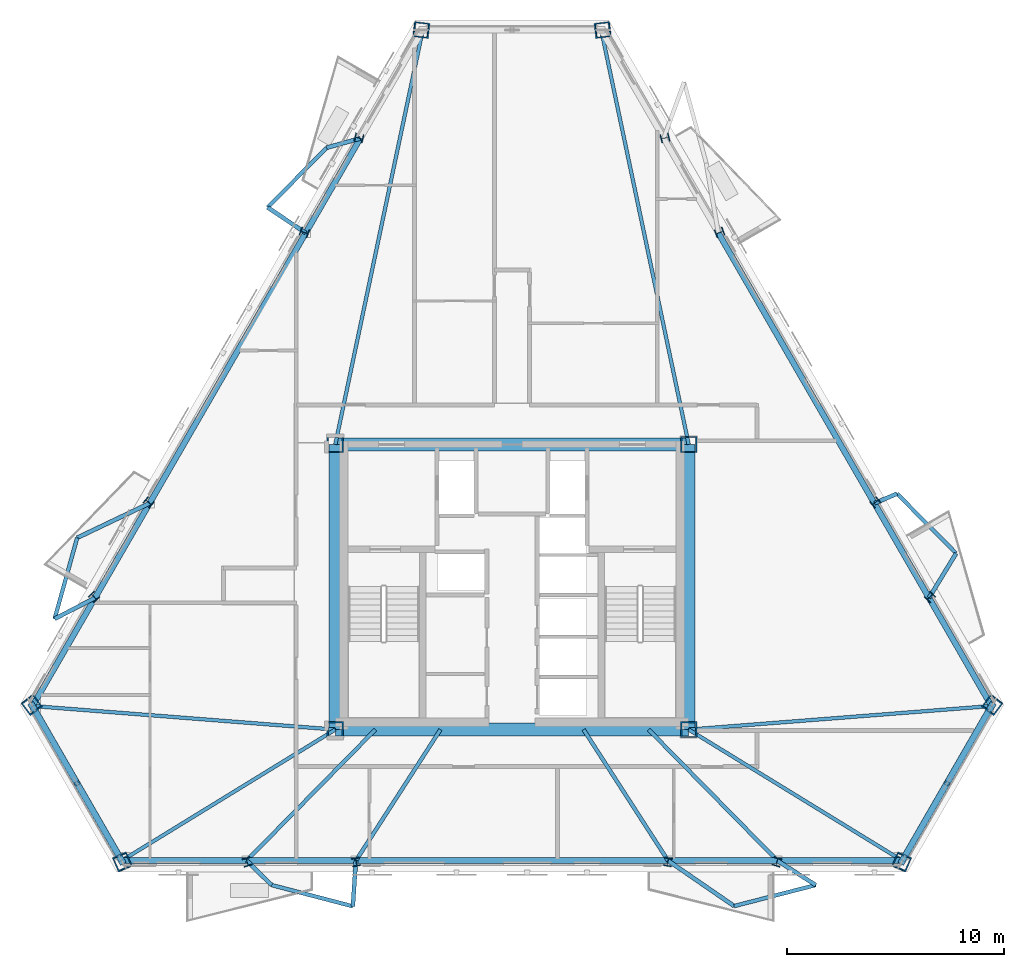
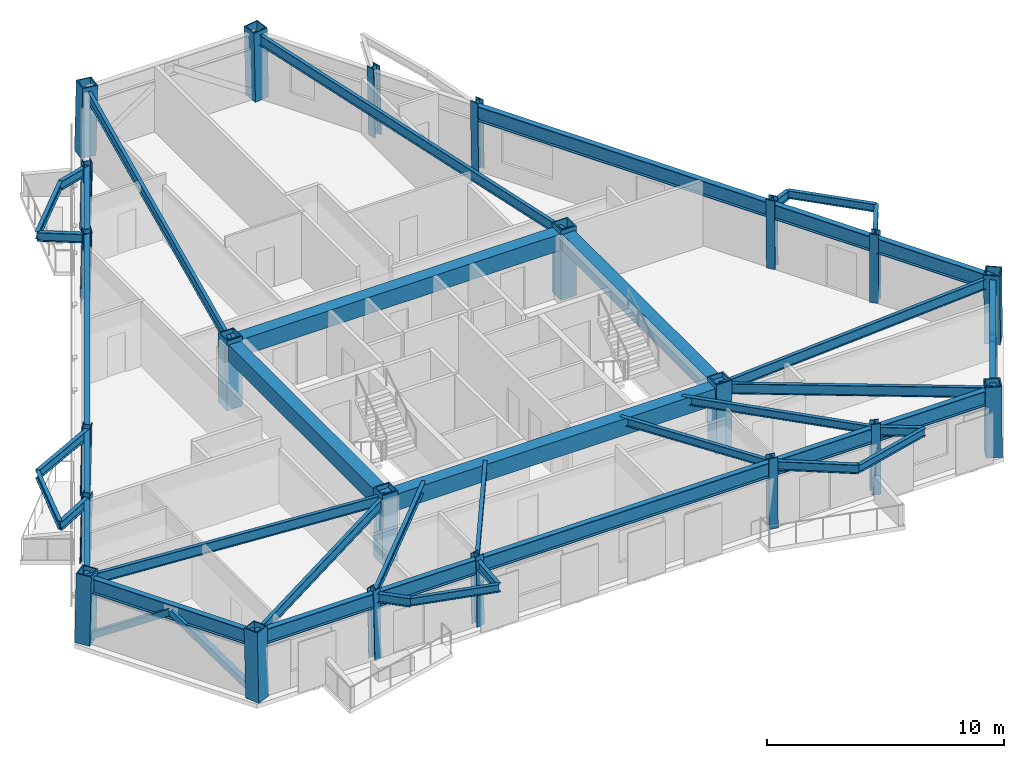
# One storey, part 1 of 9: 43 beams, 22 columns, 4 members.
"""IFC4 building model written with IfcOpenShell, lengths in metres."""

from ifc_helpers import new_model, si_unit, direction, frame, origin, origin_2d, place, context, subcontext, project, spatial, rectangle, hollow_rectangle, i_section, extrude, material, material_profile, profile_set, type_object, element, save


model = new_model("IFC4")

# Units and contexts
model_context = context("Model", 3, precision=1e-05, world=origin(), true_north=direction((0.0, 1.0)))
body_context = subcontext(model_context, "Body", "Model", "MODEL_VIEW")
ifc_project = project(units=[si_unit("LENGTHUNIT", "METRE"), si_unit("AREAUNIT", "SQUARE_METRE"), si_unit("VOLUMEUNIT", "CUBIC_METRE"), si_unit("PLANEANGLEUNIT", "RADIAN"), si_unit("MASSUNIT", "GRAM", prefix="KILO")], contexts=[model_context])

# Site, building, storey
site_placement = place(None, origin())
site = spatial("IfcSite", under=ifc_project, at=site_placement, CompositionType="ELEMENT")
building_placement = place(site_placement, origin())
building = spatial("IfcBuilding", under=site, at=building_placement, Name="Oramaril Tower", CompositionType="ELEMENT")
storey_placement = place(building_placement, frame((0.0, 0.0, 174.60009765625)))
storey = spatial("IfcBuildingStorey", under=building, at=storey_placement, Name="L46", CompositionType="ELEMENT", Elevation=174.60009765625)

# Columns
ifc_material_1 = material(Name="Steel ASTM A572 Gr 50", Category="steel")
ifc_material_profile_1 = material_profile(ifc_material_1, hollow_rectangle(XDim=0.75, YDim=0.75, WallThickness=0.06005859375, at=origin_2d()), Name="BOX750X750X60")
ifc_profile_set_1 = profile_set([ifc_material_profile_1], Name="Steel ASTM A572 Gr 50")
column_type_1 = type_object("IfcColumnType", Name="CT-CC4", PredefinedType="COLUMN", material=ifc_profile_set_1)
for number, where, z_axis, x_axis, name in (
    (1, (29.35009765625, 11.0, 0.0), (0.0, 0.0, 1.0), (1.0, 0.0, 0.0), "L46 Core Column CC-1"),
    (2, (45.64990234375, 11.0, 0.0), (0.0, 0.0, 1.0), (1.0, 0.0, 0.0), "L46 Core Column CC-2"),
    (3, (45.64990234375, 24.14990234375, 0.0), (0.0, 0.0, 1.0), (1.0, 0.0, 0.0), "L46 Core Column CC-3"),
    (4, (29.35009765625, 24.14990234375, 0.0), (0.0, 0.0, 1.0), (1.0, 0.0, 0.0), "L46 Core Column CC-4"),
):
    element("IfcColumn", number, at=place(storey_placement, frame(where, z_axis=z_axis, x_axis=x_axis)), inside=storey, type_object=column_type_1, Name=name, PredefinedType="COLUMN", context=body_context, shape_type="SweptSolid", body=[
        extrude(hollow_rectangle(XDim=0.75, YDim=0.75, WallThickness=0.06005859375, at=origin_2d()), origin(), (0.0, 0.0, 1.0), 3.599853515625),
    ])
ifc_material_2 = material(Name="Steel ASTM A572 Gr 50", Category="steel")
ifc_material_profile_2 = material_profile(ifc_material_2, hollow_rectangle(XDim=0.699951171875, YDim=0.699951171875, WallThickness=0.054931640625, at=origin_2d()), Name="BOX700X700X55")
ifc_profile_set_2 = profile_set([ifc_material_profile_2], Name="Steel ASTM A572 Gr 50")
column_type_2 = type_object("IfcColumnType", Name="CT-TC4", PredefinedType="COLUMN", material=ifc_profile_set_2)
for number, where, z_axis, x_axis, name in (
    (5, (15.340087890625, 12.14990234375, 0.00439453125), (0.01325397045, -0.017603991521, 0.999757186396), (0.798888206192, 0.60147953748, 0.0), "L46 Tube Column TC-01"),
    (6, (19.53515625, 4.884033203125, 0.00439453125), (-0.008700040494, 0.020254781774, 0.99975699703), (-0.918825765813, -0.394663416188, 0.0), "L46 Tube Column TC-02"),
    (7, (55.46484375, 4.884033203125, 0.00439453125), (0.008700040494, 0.020254781774, 0.99975699703), (-0.918825765813, 0.394663416188, 0.0), "L46 Tube Column TC-03"),
    (8, (59.659912109375, 12.14990234375, 0.00439453125), (-0.01325397045, -0.017603991521, 0.999757186396), (0.798888206192, -0.60147953748, 0.0), "L46 Tube Column TC-04"),
    (9, (41.695068359375, 43.26611328125, 0.00439453125), (-0.021886038507, -0.002650793484, 0.999756957771), (0.120239293752, -0.992744938158, 0.0), "L46 Tube Column TC-05"),
    (10, (33.304931640625, 43.26611328125, 0.00439453125), (0.021886038507, -0.002650793484, 0.999756957771), (0.120239293752, 0.992744938158, 0.0), "L46 Tube Column TC-06"),
):
    element("IfcColumn", number, at=place(storey_placement, frame(where, z_axis=z_axis, x_axis=x_axis)), inside=storey, type_object=column_type_2, Name=name, PredefinedType="COLUMN", context=body_context, shape_type="SweptSolid", body=[
        extrude(hollow_rectangle(XDim=0.699951171875, YDim=0.699951171875, WallThickness=0.054931640625, at=origin_2d()), origin(), (0.0, 0.0, 1.0), 3.592041015625),
    ])
ifc_material_3 = material(Name="Steel ASTM A572 Gr 50", Category="steel")
ifc_material_profile_3 = material_profile(ifc_material_3, i_section(OverallWidth=0.39892578125, OverallDepth=0.385986328125, WebThickness=0.02099609375, FlangeThickness=0.033203125, at=origin_2d()), Name="W14X176")
ifc_profile_set_3 = profile_set([ifc_material_profile_3], Name="Steel ASTM A572 Gr 50")
column_type_3 = type_object("IfcColumnType", Name="CT-TF4", PredefinedType="COLUMN", material=ifc_profile_set_3)
for number, where, z_axis, x_axis, name in (
    (11, (25.283935546875, 4.884033203125, 0.00439453125), (-0.005913429182, 0.020255194209, 0.999777354446), (-0.959927812476, -0.280247381495, 0.0), "L46 Tube Column TC-07"),
    (12, (30.314208984375, 4.884033203125, 0.00439453125), (-0.00353450314, 0.020255421843, 0.99978859024), (-0.985114547136, -0.171899182722, 0.0), "L46 Tube Column TC-08"),
    (13, (44.685791015625, 4.884033203125, 0.00439453125), (0.00353450314, 0.020255421843, 0.99978859024), (-0.985114547136, 0.171899182722, 0.0), "L46 Tube Column TC-09"),
    (14, (49.716064453125, 4.884033203125, 0.00439453125), (0.005913429182, 0.020255194209, 0.999777354446), (-0.959927812476, 0.280247381495, 0.0), "L46 Tube Column TC-10"),
    (15, (56.785400390625, 17.128662109375, 0.00439453125), (-0.014613630727, -0.015293334481, 0.999776252827), (0.722990691153, -0.690857771546, 0.0), "L46 Tube Column TC-11"),
    (16, (54.2705078125, 21.48486328125, 0.00439453125), (-0.015837277662, -0.01318640286, 0.999787627157), (0.63985992484, -0.768491559215, 0.0), "L46 Tube Column TC-12"),
    (17, (47.08447265625, 33.93115234375, 0.00439453125), (-0.019303817129, -0.007136974643, 0.999788190687), (0.346776475459, -0.93794780029, 0.0), "L46 Tube Column TC-13"),
    (18, (44.5693359375, 38.287353515625, 0.00439453125), (-0.020459119549, -0.005029816766, 0.999778038052), (0.238738248222, -0.971083955606, 0.0), "L46 Tube Column TC-14"),
    (19, (30.4306640625, 38.287353515625, 0.00439453125), (0.020459119549, -0.005029816766, 0.999778038052), (0.238738248222, 0.971083955606, 0.0), "L46 Tube Column TC-15"),
    (20, (27.91552734375, 33.93115234375, 0.00439453125), (0.019303817129, -0.007136974643, 0.999788190687), (0.346776475459, 0.93794780029, 0.0), "L46 Tube Column TC-16"),
    (21, (20.7294921875, 21.48486328125, 0.00439453125), (0.015837277662, -0.01318640286, 0.999787627157), (0.63985992484, 0.768491559215, 0.0), "L46 Tube Column TC-17"),
    (22, (18.214599609375, 17.128662109375, 0.00439453125), (0.014613630727, -0.015293334481, 0.999776252827), (0.722990691153, 0.690857771546, 0.0), "L46 Tube Column TC-18"),
):
    element("IfcColumn", number, at=place(storey_placement, frame(where, z_axis=z_axis, x_axis=x_axis)), inside=storey, type_object=column_type_3, Name=name, PredefinedType="COLUMN", context=body_context, shape_type="SweptSolid", body=[
        extrude(i_section(OverallWidth=0.39892578125, OverallDepth=0.385986328125, WebThickness=0.02099609375, FlangeThickness=0.033203125, at=origin_2d()), origin(), (0.0, 0.0, 1.0), 3.591796875),
    ])

# Beams
ifc_material_4 = material(Name="Steel ASTM A572 Gr 50", Category="steel")
ifc_material_profile_4 = material_profile(ifc_material_4, i_section(OverallWidth=0.19091796875, OverallDepth=0.45703125, WebThickness=0.009033203125, FlangeThickness=0.014404296875, at=origin_2d()), Name="W18X50")
ifc_profile_set_4 = profile_set([ifc_material_profile_4], Name="Steel ASTM A572 Gr 50")
beam_type_1 = type_object("IfcBeamType", Name="BT-BB1", PredefinedType="BEAM", material=ifc_profile_set_4)
beam_1_placement = place(storey_placement, frame((25.2626953125, 4.956787109375, 3.1513671875), z_axis=(0.715080619035, -0.699041993217, 0.0), x_axis=(0.699041993217, 0.715080619035, 0.0)))
element("IfcBeam", 23, at=beam_1_placement, inside=storey, type_object=beam_type_1, Name="L46 Balcony Column-Framed Cantilever 01.1", PredefinedType="BEAM", context=body_context, shape_type="SweptSolid", body=[
    extrude(i_section(OverallWidth=0.19091796875, OverallDepth=0.45703125, WebThickness=0.009033203125, FlangeThickness=0.014404296875, at=origin_2d()), origin(), (0.0, 0.0, 1.0), 1.613525390625),
])
beam_2_placement = place(storey_placement, frame((30.301513671875, 4.956787109375, 3.1513671875), z_axis=(-0.066795130788, -0.997766711463, 0.0), x_axis=(0.997766711463, -0.066795130788, 0.0)))
element("IfcBeam", 24, at=beam_2_placement, inside=storey, type_object=beam_type_1, Name="L46 Balcony Column-Framed Cantilever 01.2", PredefinedType="BEAM", context=body_context, shape_type="SweptSolid", body=[
    extrude(i_section(OverallWidth=0.19091796875, OverallDepth=0.45703125, WebThickness=0.009033203125, FlangeThickness=0.014404296875, at=origin_2d()), origin(), (0.0, 0.0, 1.0), 2.112548828125),
])
beam_3_placement = place(storey_placement, frame((44.698486328125, 4.956787109375, 3.1513671875), z_axis=(0.824026521451, -0.566551226232, 0.0), x_axis=(0.566551226232, 0.824026521451, 0.0)))
element("IfcBeam", 25, at=beam_3_placement, inside=storey, type_object=beam_type_1, Name="L46 Balcony Column-Framed Cantilever 02.1", PredefinedType="BEAM", context=body_context, shape_type="SweptSolid", body=[
    extrude(i_section(OverallWidth=0.19091796875, OverallDepth=0.45703125, WebThickness=0.009033203125, FlangeThickness=0.014404296875, at=origin_2d()), origin(), (0.0, 0.0, 1.0), 3.699951171875),
])
beam_4_placement = place(storey_placement, frame((49.7373046875, 4.956787109375, 3.1513671875), z_axis=(0.843493889987, -0.537138769365, 0.0), x_axis=(0.537138769365, 0.843493889987, 0.0)))
element("IfcBeam", 26, at=beam_4_placement, inside=storey, type_object=beam_type_1, Name="L46 Balcony Column-Framed Cantilever 02.2", PredefinedType="BEAM", context=body_context, shape_type="SweptSolid", body=[
    extrude(i_section(OverallWidth=0.19091796875, OverallDepth=0.45703125, WebThickness=0.009033203125, FlangeThickness=0.014404296875, at=origin_2d()), origin(), (0.0, 0.0, 1.0), 2.099853515625),
])
beam_5_placement = place(storey_placement, frame((56.73291015625, 17.07373046875, 3.1513671875), z_axis=(0.519640737606, 0.854384868674, 0.0), x_axis=(-0.854384868674, 0.519640737606, 0.0)))
element("IfcBeam", 27, at=beam_5_placement, inside=storey, type_object=beam_type_1, Name="L46 Balcony Column-Framed Cantilever 03.1", PredefinedType="BEAM", context=body_context, shape_type="SweptSolid", body=[
    extrude(i_section(OverallWidth=0.19091796875, OverallDepth=0.45703125, WebThickness=0.009033203125, FlangeThickness=0.014404296875, at=origin_2d()), origin(), (0.0, 0.0, 1.0), 2.403076171875),
])
beam_6_placement = place(storey_placement, frame((54.213623046875, 21.4375, 3.1513671875), z_axis=(0.921352142446, 0.3887289925, 0.0), x_axis=(-0.3887289925, 0.921352142446, 0.0)))
element("IfcBeam", 28, at=beam_6_placement, inside=storey, type_object=beam_type_1, Name="L46 Balcony Column-Framed Cantilever 03.2", PredefinedType="BEAM", context=body_context, shape_type="SweptSolid", body=[
    extrude(i_section(OverallWidth=0.19091796875, OverallDepth=0.45703125, WebThickness=0.009033203125, FlangeThickness=0.014404296875, at=origin_2d()), origin(), (0.0, 0.0, 1.0), 1.13671875),
])
beam_7_placement = place(storey_placement, frame((30.504150390625, 38.269287109375, 3.1513671875), z_axis=(-0.962960876633, -0.269641150559, 0.0), x_axis=(0.269641150559, -0.962960876633, 0.0)))
element("IfcBeam", 29, at=beam_7_placement, inside=storey, type_object=beam_type_1, Name="L46 Balcony Column-Framed Cantilever 05.1", PredefinedType="BEAM", context=body_context, shape_type="SweptSolid", body=[
    extrude(i_section(OverallWidth=0.19091796875, OverallDepth=0.45703125, WebThickness=0.009033203125, FlangeThickness=0.014404296875, at=origin_2d()), origin(), (0.0, 0.0, 1.0), 1.613525390625),
])
beam_8_placement = place(storey_placement, frame((27.98486328125, 33.905517578125, 3.1513671875), z_axis=(-0.83069676743, 0.556725139168, 0.0), x_axis=(-0.556725139168, -0.83069676743, 0.0)))
element("IfcBeam", 30, at=beam_8_placement, inside=storey, type_object=beam_type_1, Name="L46 Balcony Column-Framed Cantilever 05.2", PredefinedType="BEAM", context=body_context, shape_type="SweptSolid", body=[
    extrude(i_section(OverallWidth=0.19091796875, OverallDepth=0.45703125, WebThickness=0.009033203125, FlangeThickness=0.014404296875, at=origin_2d()), origin(), (0.0, 0.0, 1.0), 2.11279296875),
])
beam_9_placement = place(storey_placement, frame((20.786376953125, 21.4375, 3.1513671875), z_axis=(-0.902662837002, -0.430348466588, 0.0), x_axis=(0.430348466588, -0.902662837002, 0.0)))
element("IfcBeam", 31, at=beam_9_placement, inside=storey, type_object=beam_type_1, Name="L46 Balcony Column-Framed Cantilever 06.1", PredefinedType="BEAM", context=body_context, shape_type="SweptSolid", body=[
    extrude(i_section(OverallWidth=0.19091796875, OverallDepth=0.45703125, WebThickness=0.009033203125, FlangeThickness=0.014404296875, at=origin_2d()), origin(), (0.0, 0.0, 1.0), 3.699951171875),
])
beam_10_placement = place(storey_placement, frame((18.26708984375, 17.07373046875, 3.1513671875), z_axis=(-0.886959721119, -0.461846785322, 0.0), x_axis=(0.461846785322, -0.886959721119, 0.0)))
element("IfcBeam", 32, at=beam_10_placement, inside=storey, type_object=beam_type_1, Name="L46 Balcony Column-Framed Cantilever 06.2", PredefinedType="BEAM", context=body_context, shape_type="SweptSolid", body=[
    extrude(i_section(OverallWidth=0.19091796875, OverallDepth=0.45703125, WebThickness=0.009033203125, FlangeThickness=0.014404296875, at=origin_2d()), origin(), (0.0, 0.0, 1.0), 2.10009765625),
])
ifc_material_5 = material(Name="Concrete C50/60", Category="concrete")
ifc_material_profile_5 = material_profile(ifc_material_5, rectangle(XDim=0.60009765625, YDim=0.85009765625, at=origin_2d()), Name="CB600X850")
ifc_profile_set_5 = profile_set([ifc_material_profile_5], Name="Concrete C50/60")
beam_type_2 = type_object("IfcBeamType", Name="BT-CB2", PredefinedType="BEAM", material=ifc_profile_set_5)
beam_11_placement = place(storey_placement, frame((29.35009765625, 11.0, 2.954833984375), z_axis=(1.0, 0.0, 0.0), x_axis=(0.0, 1.0, 0.0)))
element("IfcBeam", 33, at=beam_11_placement, inside=storey, type_object=beam_type_2, Name="L46 Core Header Beam CB-1", PredefinedType="BEAM", context=body_context, shape_type="SweptSolid", body=[
    extrude(rectangle(XDim=0.60009765625, YDim=0.85009765625, at=origin_2d()), origin(), (0.0, 0.0, 1.0), 16.2998046875),
])
beam_12_placement = place(storey_placement, frame((45.64990234375, 11.0, 2.954833984375), z_axis=(0.0, 1.0, 0.0), x_axis=(-1.0, 0.0, 0.0)))
element("IfcBeam", 34, at=beam_12_placement, inside=storey, type_object=beam_type_2, Name="L46 Core Header Beam CB-2", PredefinedType="BEAM", context=body_context, shape_type="SweptSolid", body=[
    extrude(rectangle(XDim=0.60009765625, YDim=0.85009765625, at=origin_2d()), origin(), (0.0, 0.0, 1.0), 13.14990234375),
])
beam_13_placement = place(storey_placement, frame((45.64990234375, 24.14990234375, 2.954833984375), z_axis=(-1.0, 0.0, 0.0), x_axis=(0.0, -1.0, 0.0)))
element("IfcBeam", 35, at=beam_13_placement, inside=storey, type_object=beam_type_2, Name="L46 Core Header Beam CB-3", PredefinedType="BEAM", context=body_context, shape_type="SweptSolid", body=[
    extrude(rectangle(XDim=0.60009765625, YDim=0.85009765625, at=origin_2d()), origin(), (0.0, 0.0, 1.0), 16.2998046875),
])
beam_14_placement = place(storey_placement, frame((29.35009765625, 24.14990234375, 2.954833984375), z_axis=(0.0, -1.0, 0.0), x_axis=(1.0, 0.0, 0.0)))
element("IfcBeam", 36, at=beam_14_placement, inside=storey, type_object=beam_type_2, Name="L46 Core Header Beam CB-4", PredefinedType="BEAM", context=body_context, shape_type="SweptSolid", body=[
    extrude(rectangle(XDim=0.60009765625, YDim=0.85009765625, at=origin_2d()), origin(), (0.0, 0.0, 1.0), 13.14990234375),
])
ifc_material_6 = material(Name="Steel ASTM A572 Gr 50", Category="steel")
ifc_material_profile_6 = material_profile(ifc_material_6, i_section(OverallWidth=0.166015625, OverallDepth=0.528076171875, WebThickness=0.009765625, FlangeThickness=0.013671875, at=origin_2d()), Name="W21X50")
ifc_profile_set_6 = profile_set([ifc_material_profile_6], Name="Steel ASTM A572 Gr 50")
beam_type_3 = type_object("IfcBeamType", Name="BT-FB3", PredefinedType="BEAM", material=ifc_profile_set_6)
beam_15_placement = place(storey_placement, frame((29.35009765625, 11.0, 3.115966796875), z_axis=(-0.996985068247, 0.077593644672, 0.0), x_axis=(-0.077593644672, -0.996985068247, 0.0)))
element("IfcBeam", 37, at=beam_15_placement, inside=storey, type_object=beam_type_3, Name="L46 Radial Primary Beam RB-01", PredefinedType="BEAM", context=body_context, shape_type="SweptSolid", body=[
    extrude(i_section(OverallWidth=0.166015625, OverallDepth=0.528076171875, WebThickness=0.009765625, FlangeThickness=0.013671875, at=origin_2d()), origin(), (0.0, 0.0, 1.0), 14.004638671875),
])
for number, where, z_axis, x_axis, name in (
    (38, (29.35009765625, 11.0, 3.115966796875), (-0.852275194764, -0.523093674584, 0.0), (0.523093674584, -0.852275194764, 0.0), "L46 Radial Primary Beam RB-02"),
    (39, (45.64990234375, 11.0, 3.115966796875), (0.852275194764, -0.523093674584, 0.0), (0.523093674584, 0.852275194764, 0.0), "L46 Radial Primary Beam RB-03"),
):
    element("IfcBeam", number, at=place(storey_placement, frame(where, z_axis=z_axis, x_axis=x_axis)), inside=storey, type_object=beam_type_3, Name=name, PredefinedType="BEAM", context=body_context, shape_type="SweptSolid", body=[
        extrude(i_section(OverallWidth=0.166015625, OverallDepth=0.528076171875, WebThickness=0.009765625, FlangeThickness=0.013671875, at=origin_2d()), origin(), (0.0, 0.0, 1.0), 11.552734375),
    ])
beam_16_placement = place(storey_placement, frame((45.64990234375, 11.0, 3.115966796875), z_axis=(0.996985068247, 0.077593644672, 0.0), x_axis=(-0.077593644672, 0.996985068247, 0.0)))
element("IfcBeam", 40, at=beam_16_placement, inside=storey, type_object=beam_type_3, Name="L46 Radial Primary Beam RB-04", PredefinedType="BEAM", context=body_context, shape_type="SweptSolid", body=[
    extrude(i_section(OverallWidth=0.166015625, OverallDepth=0.528076171875, WebThickness=0.009765625, FlangeThickness=0.013671875, at=origin_2d()), origin(), (0.0, 0.0, 1.0), 14.004638671875),
])
for number, where, z_axis, x_axis, name in (
    (41, (45.64990234375, 24.14990234375, 3.115966796875), (-0.206549172802, 0.978436221332, 0.0), (-0.978436221332, -0.206549172802, 0.0), "L46 Radial Primary Beam RB-05"),
    (42, (29.35009765625, 24.14990234375, 3.115966796875), (0.206549172802, 0.978436221332, 0.0), (-0.978436221332, 0.206549172802, 0.0), "L46 Radial Primary Beam RB-06"),
):
    element("IfcBeam", number, at=place(storey_placement, frame(where, z_axis=z_axis, x_axis=x_axis)), inside=storey, type_object=beam_type_3, Name=name, PredefinedType="BEAM", context=body_context, shape_type="SweptSolid", body=[
        extrude(i_section(OverallWidth=0.166015625, OverallDepth=0.528076171875, WebThickness=0.009765625, FlangeThickness=0.013671875, at=origin_2d()), origin(), (0.0, 0.0, 1.0), 19.52783203125),
    ])
ifc_material_7 = material(Name="Steel ASTM A572 Gr 50", Category="steel")
ifc_material_profile_7 = material_profile(ifc_material_7, i_section(OverallWidth=0.177978515625, OverallDepth=0.404052734375, WebThickness=0.007568359375, FlangeThickness=0.010986328125, at=origin_2d()), Name="W16X36")
ifc_profile_set_7 = profile_set([ifc_material_profile_7], Name="Steel ASTM A572 Gr 50")
beam_type_4 = type_object("IfcBeamType", Name="BT-SB1", PredefinedType="BEAM", material=ifc_profile_set_7)
beam_17_placement = place(storey_placement, frame((31.199951171875, 11.0, 3.177978515625), z_axis=(-0.70082561622, -0.713332640252, 0.0), x_axis=(0.713332640252, -0.70082561622, 0.0)))
element("IfcBeam", 43, at=beam_17_placement, inside=storey, type_object=beam_type_4, Name="L46 Secondary Floor Beam SB-01", PredefinedType="BEAM", context=body_context, shape_type="SweptSolid", body=[
    extrude(i_section(OverallWidth=0.177978515625, OverallDepth=0.404052734375, WebThickness=0.007568359375, FlangeThickness=0.010986328125, at=origin_2d()), origin(), (0.0, 0.0, 1.0), 8.471923828125),
])
for number, where, z_axis, x_axis, name in (
    (44, (34.199951171875, 11.0, 3.177978515625), (-0.542086660031, -0.840322588662, 0.0), (0.840322588662, -0.542086660031, 0.0), "L46 Secondary Floor Beam SB-02"),
    (45, (40.800048828125, 11.0, 3.177978515625), (0.542086660031, -0.840322588662, 0.0), (0.840322588662, 0.542086660031, 0.0), "L46 Secondary Floor Beam SB-03"),
):
    element("IfcBeam", number, at=place(storey_placement, frame(where, z_axis=z_axis, x_axis=x_axis)), inside=storey, type_object=beam_type_4, Name=name, PredefinedType="BEAM", context=body_context, shape_type="SweptSolid", body=[
        extrude(i_section(OverallWidth=0.177978515625, OverallDepth=0.404052734375, WebThickness=0.007568359375, FlangeThickness=0.010986328125, at=origin_2d()), origin(), (0.0, 0.0, 1.0), 7.191650390625),
    ])
beam_18_placement = place(storey_placement, frame((43.800048828125, 11.0, 3.177978515625), z_axis=(0.70082561622, -0.713332640252, 0.0), x_axis=(0.713332640252, 0.70082561622, 0.0)))
element("IfcBeam", 46, at=beam_18_placement, inside=storey, type_object=beam_type_4, Name="L46 Secondary Floor Beam SB-04", PredefinedType="BEAM", context=body_context, shape_type="SweptSolid", body=[
    extrude(i_section(OverallWidth=0.177978515625, OverallDepth=0.404052734375, WebThickness=0.007568359375, FlangeThickness=0.010986328125, at=origin_2d()), origin(), (0.0, 0.0, 1.0), 8.471923828125),
])
beam_19_placement = place(storey_placement, frame((26.41650390625, 3.828857421875, 3.177978515625), z_axis=(0.967407922874, -0.253223045479, 0.0), x_axis=(0.253223045479, 0.967407922874, 0.0)))
element("IfcBeam", 47, at=beam_19_placement, inside=storey, type_object=beam_type_4, Name="L46 Balcony Edge Tie Beam 01", PredefinedType="BEAM", context=body_context, shape_type="SweptSolid", body=[
    extrude(i_section(OverallWidth=0.177978515625, OverallDepth=0.404052734375, WebThickness=0.007568359375, FlangeThickness=0.010986328125, at=origin_2d()), origin(), (0.0, 0.0, 1.0), 3.8701171875),
])
beam_20_placement = place(storey_placement, frame((47.747314453125, 2.860595703125, 3.177978515625), z_axis=(0.968425319745, 0.249303830852, 0.0), x_axis=(-0.249303830852, 0.968425319745, 0.0)))
element("IfcBeam", 48, at=beam_20_placement, inside=storey, type_object=beam_type_4, Name="L46 Balcony Edge Tie Beam 02", PredefinedType="BEAM", context=body_context, shape_type="SweptSolid", body=[
    extrude(i_section(OverallWidth=0.177978515625, OverallDepth=0.404052734375, WebThickness=0.007568359375, FlangeThickness=0.010986328125, at=origin_2d()), origin(), (0.0, 0.0, 1.0), 3.8837890625),
])
for number, where, z_axis, x_axis, name in (
    (49, (57.981689453125, 19.126953125, 3.177978515625), (-0.702994511648, 0.71119527318, 0.0), (-0.71119527318, -0.702994511648, 0.0), "L46 Balcony Edge Tie Beam 03"),
    (50, (28.950439453125, 37.834228515625, 3.177978515625), (-0.702994511648, -0.71119527318, 0.0), (0.71119527318, -0.702994511648, 0.0), "L46 Balcony Edge Tie Beam 05"),
):
    element("IfcBeam", number, at=place(storey_placement, frame(where, z_axis=z_axis, x_axis=x_axis)), inside=storey, type_object=beam_type_4, Name=name, PredefinedType="BEAM", context=body_context, shape_type="SweptSolid", body=[
        extrude(i_section(OverallWidth=0.177978515625, OverallDepth=0.404052734375, WebThickness=0.007568359375, FlangeThickness=0.010986328125, at=origin_2d()), origin(), (0.0, 0.0, 1.0), 3.8701171875),
    ])
beam_21_placement = place(storey_placement, frame((17.446533203125, 19.84521484375, 3.177978515625), z_axis=(-0.268347314811, -0.963322229907, 0.0), x_axis=(0.963322229907, -0.268347314811, 0.0)))
element("IfcBeam", 51, at=beam_21_placement, inside=storey, type_object=beam_type_4, Name="L46 Balcony Edge Tie Beam 06", PredefinedType="BEAM", context=body_context, shape_type="SweptSolid", body=[
    extrude(i_section(OverallWidth=0.177978515625, OverallDepth=0.404052734375, WebThickness=0.007568359375, FlangeThickness=0.010986328125, at=origin_2d()), origin(), (0.0, 0.0, 1.0), 3.8837890625),
])
ifc_material_8 = material(Name="Steel ASTM A572 Gr 50", Category="steel")
ifc_material_profile_8 = material_profile(ifc_material_8, i_section(OverallWidth=0.26708984375, OverallDepth=0.77001953125, WebThickness=0.015625, FlangeThickness=0.025390625, at=origin_2d()), Name="W30X132")
ifc_profile_set_8 = profile_set([ifc_material_profile_8], Name="Steel ASTM A572 Gr 50")
beam_type_5 = type_object("IfcBeamType", Name="BT-SP3", PredefinedType="SPANDREL", material=ifc_profile_set_8)
beam_22_placement = place(storey_placement, frame((15.3876953125, 12.086669921875, 2.994873046875), z_axis=(0.499979154163, -0.8660374388, 0.0), x_axis=(0.8660374388, 0.499979154163, 0.0)))
element("IfcBeam", 52, at=beam_22_placement, inside=storey, type_object=beam_type_5, Name="L46 Perimeter Spandrel 01", PredefinedType="SPANDREL", context=body_context, shape_type="SweptSolid", body=[
    extrude(i_section(OverallWidth=0.26708984375, OverallDepth=0.77001953125, WebThickness=0.015625, FlangeThickness=0.025390625, at=origin_2d()), origin(), (0.0, 0.0, 1.0), 8.232666015625),
])
beam_23_placement = place(storey_placement, frame((19.50390625, 4.956787109375, 2.994873046875), z_axis=(1.0, 0.0, 0.0), x_axis=(0.0, 1.0, 0.0)))
element("IfcBeam", 53, at=beam_23_placement, inside=storey, type_object=beam_type_5, Name="L46 Perimeter Spandrel 02", PredefinedType="SPANDREL", context=body_context, shape_type="SweptSolid", body=[
    extrude(i_section(OverallWidth=0.26708984375, OverallDepth=0.77001953125, WebThickness=0.015625, FlangeThickness=0.025390625, at=origin_2d()), origin(), (0.0, 0.0, 1.0), 5.7587890625),
])
beam_24_placement = place(storey_placement, frame((25.2626953125, 4.956787109375, 2.994873046875), z_axis=(1.0, 0.0, 0.0), x_axis=(0.0, 1.0, 0.0)))
element("IfcBeam", 54, at=beam_24_placement, inside=storey, type_object=beam_type_5, Name="L46 Perimeter Spandrel 03", PredefinedType="SPANDREL", context=body_context, shape_type="SweptSolid", body=[
    extrude(i_section(OverallWidth=0.26708984375, OverallDepth=0.77001953125, WebThickness=0.015625, FlangeThickness=0.025390625, at=origin_2d()), origin(), (0.0, 0.0, 1.0), 5.038818359375),
])
beam_25_placement = place(storey_placement, frame((30.301513671875, 4.956787109375, 2.994873046875), z_axis=(1.0, 0.0, 0.0), x_axis=(0.0, 1.0, 0.0)))
element("IfcBeam", 55, at=beam_25_placement, inside=storey, type_object=beam_type_5, Name="L46 Perimeter Spandrel 04", PredefinedType="SPANDREL", context=body_context, shape_type="SweptSolid", body=[
    extrude(i_section(OverallWidth=0.26708984375, OverallDepth=0.77001953125, WebThickness=0.015625, FlangeThickness=0.025390625, at=origin_2d()), origin(), (0.0, 0.0, 1.0), 14.39697265625),
])
beam_26_placement = place(storey_placement, frame((44.698486328125, 4.956787109375, 2.994873046875), z_axis=(1.0, 0.0, 0.0), x_axis=(0.0, 1.0, 0.0)))
element("IfcBeam", 56, at=beam_26_placement, inside=storey, type_object=beam_type_5, Name="L46 Perimeter Spandrel 05", PredefinedType="SPANDREL", context=body_context, shape_type="SweptSolid", body=[
    extrude(i_section(OverallWidth=0.26708984375, OverallDepth=0.77001953125, WebThickness=0.015625, FlangeThickness=0.025390625, at=origin_2d()), origin(), (0.0, 0.0, 1.0), 5.038818359375),
])
beam_27_placement = place(storey_placement, frame((49.7373046875, 4.956787109375, 2.994873046875), z_axis=(1.0, 0.0, 0.0), x_axis=(0.0, 1.0, 0.0)))
element("IfcBeam", 57, at=beam_27_placement, inside=storey, type_object=beam_type_5, Name="L46 Perimeter Spandrel 06", PredefinedType="SPANDREL", context=body_context, shape_type="SweptSolid", body=[
    extrude(i_section(OverallWidth=0.26708984375, OverallDepth=0.77001953125, WebThickness=0.015625, FlangeThickness=0.025390625, at=origin_2d()), origin(), (0.0, 0.0, 1.0), 5.7587890625),
])
beam_28_placement = place(storey_placement, frame((55.49609375, 4.956787109375, 2.994873046875), z_axis=(0.499979154163, 0.8660374388, 0.0), x_axis=(-0.8660374388, 0.499979154163, 0.0)))
element("IfcBeam", 58, at=beam_28_placement, inside=storey, type_object=beam_type_5, Name="L46 Perimeter Spandrel 07", PredefinedType="SPANDREL", context=body_context, shape_type="SweptSolid", body=[
    extrude(i_section(OverallWidth=0.26708984375, OverallDepth=0.77001953125, WebThickness=0.015625, FlangeThickness=0.025390625, at=origin_2d()), origin(), (0.0, 0.0, 1.0), 8.232666015625),
])
beam_29_placement = place(storey_placement, frame((59.6123046875, 12.086669921875, 2.994873046875), z_axis=(-0.500014818852, 0.866016847947, 0.0), x_axis=(-0.866016847947, -0.500014818852, 0.0)))
element("IfcBeam", 59, at=beam_29_placement, inside=storey, type_object=beam_type_5, Name="L46 Perimeter Spandrel 08", PredefinedType="SPANDREL", context=body_context, shape_type="SweptSolid", body=[
    extrude(i_section(OverallWidth=0.26708984375, OverallDepth=0.77001953125, WebThickness=0.015625, FlangeThickness=0.025390625, at=origin_2d()), origin(), (0.0, 0.0, 1.0), 5.758544921875),
])
beam_30_placement = place(storey_placement, frame((56.73291015625, 17.07373046875, 2.994873046875), z_axis=(-0.499979696703, 0.866037125581, 0.0), x_axis=(-0.866037125581, -0.499979696703, 0.0)))
element("IfcBeam", 60, at=beam_30_placement, inside=storey, type_object=beam_type_5, Name="L46 Perimeter Spandrel 09", PredefinedType="SPANDREL", context=body_context, shape_type="SweptSolid", body=[
    extrude(i_section(OverallWidth=0.26708984375, OverallDepth=0.77001953125, WebThickness=0.015625, FlangeThickness=0.025390625, at=origin_2d()), origin(), (0.0, 0.0, 1.0), 5.038818359375),
])
beam_31_placement = place(storey_placement, frame((54.213623046875, 21.4375, 2.994873046875), z_axis=(-0.500003804112, 0.866023207468, 0.0), x_axis=(-0.866023207468, -0.500003804112, 0.0)))
element("IfcBeam", 61, at=beam_31_placement, inside=storey, type_object=beam_type_5, Name="L46 Perimeter Spandrel 10", PredefinedType="SPANDREL", context=body_context, shape_type="SweptSolid", body=[
    extrude(i_section(OverallWidth=0.26708984375, OverallDepth=0.77001953125, WebThickness=0.015625, FlangeThickness=0.025390625, at=origin_2d()), origin(), (0.0, 0.0, 1.0), 14.39697265625),
])
beam_32_placement = place(storey_placement, frame((30.504150390625, 38.269287109375, 2.994873046875), z_axis=(-0.499979696703, -0.866037125581, 0.0), x_axis=(0.866037125581, -0.499979696703, 0.0)))
element("IfcBeam", 62, at=beam_32_placement, inside=storey, type_object=beam_type_5, Name="L46 Perimeter Spandrel 15", PredefinedType="SPANDREL", context=body_context, shape_type="SweptSolid", body=[
    extrude(i_section(OverallWidth=0.26708984375, OverallDepth=0.77001953125, WebThickness=0.015625, FlangeThickness=0.025390625, at=origin_2d()), origin(), (0.0, 0.0, 1.0), 5.038818359375),
])
beam_33_placement = place(storey_placement, frame((27.98486328125, 33.905517578125, 2.994873046875), z_axis=(-0.500003804112, -0.866023207468, 0.0), x_axis=(0.866023207468, -0.500003804112, 0.0)))
element("IfcBeam", 63, at=beam_33_placement, inside=storey, type_object=beam_type_5, Name="L46 Perimeter Spandrel 16", PredefinedType="SPANDREL", context=body_context, shape_type="SweptSolid", body=[
    extrude(i_section(OverallWidth=0.26708984375, OverallDepth=0.77001953125, WebThickness=0.015625, FlangeThickness=0.025390625, at=origin_2d()), origin(), (0.0, 0.0, 1.0), 14.39697265625),
])
beam_34_placement = place(storey_placement, frame((20.786376953125, 21.4375, 2.994873046875), z_axis=(-0.499979696703, -0.866037125581, 0.0), x_axis=(0.866037125581, -0.499979696703, 0.0)))
element("IfcBeam", 64, at=beam_34_placement, inside=storey, type_object=beam_type_5, Name="L46 Perimeter Spandrel 17", PredefinedType="SPANDREL", context=body_context, shape_type="SweptSolid", body=[
    extrude(i_section(OverallWidth=0.26708984375, OverallDepth=0.77001953125, WebThickness=0.015625, FlangeThickness=0.025390625, at=origin_2d()), origin(), (0.0, 0.0, 1.0), 5.038818359375),
])
beam_35_placement = place(storey_placement, frame((18.26708984375, 17.07373046875, 2.994873046875), z_axis=(-0.500014818852, -0.866016847947, 0.0), x_axis=(0.866016847947, -0.500014818852, 0.0)))
element("IfcBeam", 65, at=beam_35_placement, inside=storey, type_object=beam_type_5, Name="L46 Perimeter Spandrel 18", PredefinedType="SPANDREL", context=body_context, shape_type="SweptSolid", body=[
    extrude(i_section(OverallWidth=0.26708984375, OverallDepth=0.77001953125, WebThickness=0.015625, FlangeThickness=0.025390625, at=origin_2d()), origin(), (0.0, 0.0, 1.0), 5.758544921875),
])

# Members
ifc_material_9 = material(Name="Steel ASTM A572 Gr 50", Category="steel")
ifc_material_profile_9 = material_profile(ifc_material_9, hollow_rectangle(XDim=0.300048828125, YDim=0.300048828125, WallThickness=0.01611328125, at=origin_2d()), Name="HSS300X300X16")
ifc_profile_set_9 = profile_set([ifc_material_profile_9], Name="Steel ASTM A572 Gr 50")
member_type = type_object("IfcMemberType", Name="MT-KB2", PredefinedType="BRACE", material=ifc_profile_set_9)
member_1_placement = place(storey_placement, frame((15.340087890625, 12.14990234375, 0.179931640625), z_axis=(0.415223775861, -0.719102628587, 0.557207883576), x_axis=(0.865999496279, 0.500044870432, 0.0)))
element("IfcMember", 66, at=member_1_placement, inside=storey, type_object=member_type, Name="L46 Perimeter Chevron Brace KB-1A", PredefinedType="BRACE", context=body_context, shape_type="SweptSolid", body=[
    extrude(hollow_rectangle(XDim=0.300048828125, YDim=0.300048828125, WallThickness=0.01611328125, at=origin_2d()), origin(), (0.0, 0.0, 1.0), 5.0517578125),
])
for number, where, z_axis, x_axis, name in (
    (67, (19.53515625, 4.884033203125, 0.179931640625), (-0.415169351182, 0.719140392846, 0.557199699584), (-0.866039247396, -0.499976021395, 0.0), "L46 Perimeter Chevron Brace KB-1B"),
    (68, (55.46484375, 4.884033203125, 0.179931640625), (0.415169351182, 0.719140392846, 0.557199699584), (-0.866039247396, 0.499976021395, 0.0), "L46 Perimeter Chevron Brace KB-2A"),
):
    element("IfcMember", number, at=place(storey_placement, frame(where, z_axis=z_axis, x_axis=x_axis)), inside=storey, type_object=member_type, Name=name, PredefinedType="BRACE", context=body_context, shape_type="SweptSolid", body=[
        extrude(hollow_rectangle(XDim=0.300048828125, YDim=0.300048828125, WallThickness=0.01611328125, at=origin_2d()), origin(), (0.0, 0.0, 1.0), 5.052001953125),
    ])
member_2_placement = place(storey_placement, frame((59.659912109375, 12.14990234375, 0.179931640625), z_axis=(-0.415223775861, -0.719102628587, 0.557207883576), x_axis=(0.865999496279, -0.500044870432, 0.0)))
element("IfcMember", 69, at=member_2_placement, inside=storey, type_object=member_type, Name="L46 Perimeter Chevron Brace KB-2B", PredefinedType="BRACE", context=body_context, shape_type="SweptSolid", body=[
    extrude(hollow_rectangle(XDim=0.300048828125, YDim=0.300048828125, WallThickness=0.01611328125, at=origin_2d()), origin(), (0.0, 0.0, 1.0), 5.0517578125),
])

save(model, "model.ifc")
